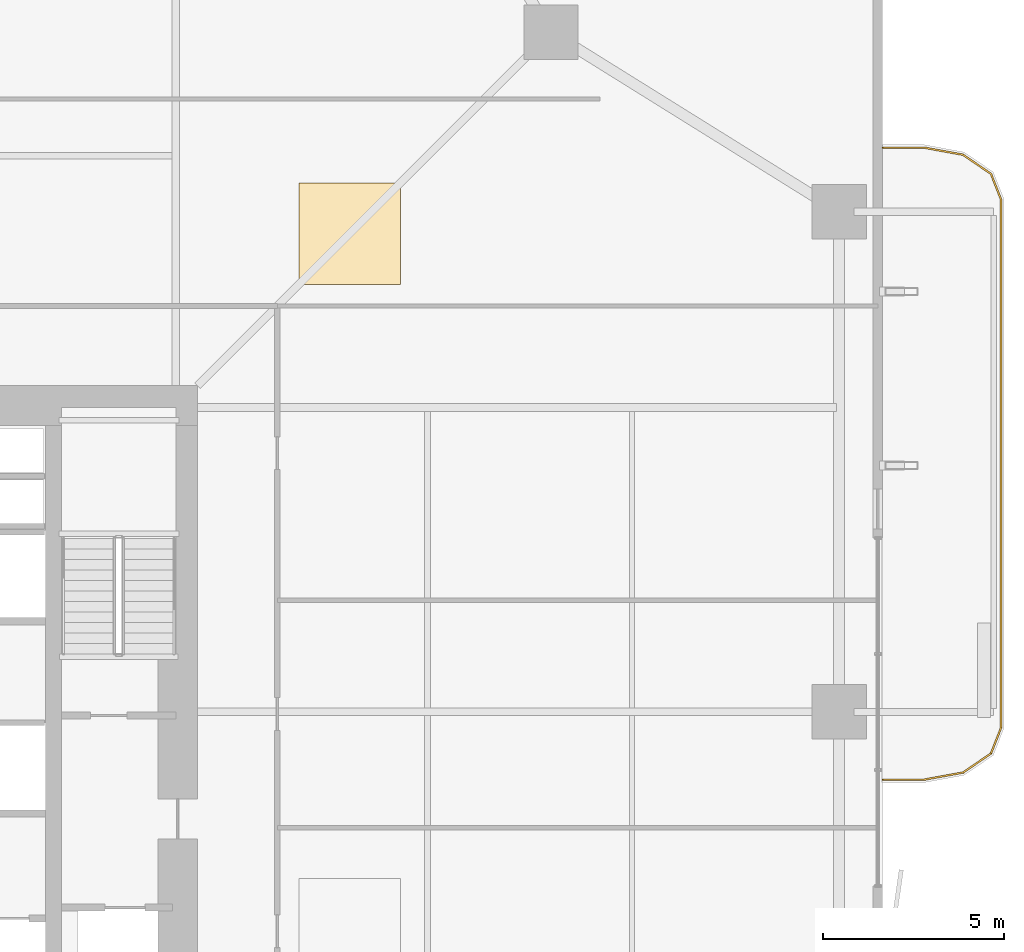
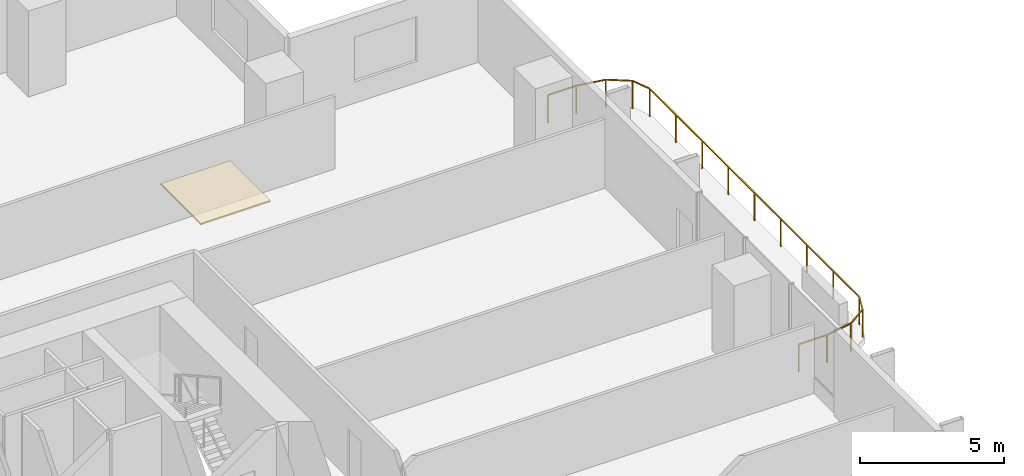
# One storey, part 24 of 24: 1 covering, 1 railing.
"""IFC4 building model written with IfcOpenShell, lengths in metres."""

import ifcopenshell
import ifcopenshell.guid

model = None  # the IFC model being written
_history = None  # IfcOwnerHistory: only IFC2X3 demands one
_inside = {}  # id of a spatial element -> (the spatial element, [elements in it])
_under = {}  # id of a project, library or spatial element -> (it, [spatial elements below it])
_declared = {}  # id of a project -> (the project, [libraries it declares])
_typed = {}  # id of a type object -> (the type object, [elements of that type])
_made_of = {}  # id of a material, layer set ... -> (it, [elements and type objects made of it])


def new_model(schema):
    """Start an empty IFC model of exactly this schema.

    Asked for "IFC4X3", IfcOpenShell would pick the latest addendum, in which some entities
    have other attributes; the version numbers below select the first issue.
    IFC2X3 requires an IfcOwnerHistory on every rooted entity: one is made here for all.
    """
    global model, _history
    if schema == "IFC4X3":
        model = ifcopenshell.file(schema_version=(4, 3, 0, 0))
    else:
        model = ifcopenshell.file(schema=schema)
    _inside.clear()
    _under.clear()
    _declared.clear()
    _typed.clear()
    _made_of.clear()
    _history = None
    if model.schema == "IFC2X3":
        org = make("IfcOrganization", Name="unknown")
        user = make(
            "IfcPersonAndOrganization",
            ThePerson=make("IfcPerson", FamilyName="unknown"),
            TheOrganization=org,
        )
        app = make(
            "IfcApplication",
            ApplicationDeveloper=org,
            Version="unknown",
            ApplicationFullName="unknown",
            ApplicationIdentifier="unknown",
        )
        _history = make(
            "IfcOwnerHistory",
            OwningUser=user,
            OwningApplication=app,
            ChangeAction="ADDED",
            CreationDate=0,
        )
    return model


def make(cls, **values):
    """One entity of the class cls with the attributes given. An attribute that is None is left unset."""
    return model.create_entity(
        cls, **{name: value for name, value in values.items() if value is not None}
    )


def rooted(cls, **values):
    """An entity with a GlobalId (a new one), such as an element, a storey or a relation."""
    return make(cls, GlobalId=ifcopenshell.guid.new(), OwnerHistory=_history, **values)


def si_unit(unit_type, name, prefix=None):
    """IfcSIUnit, for example si_unit("LENGTHUNIT", "METRE", prefix="MILLI")."""
    return make("IfcSIUnit", UnitType=unit_type, Prefix=prefix, Name=name)


def assignment(units):
    """IfcUnitAssignment: the units of a project."""
    return None if units is None else make("IfcUnitAssignment", Units=units)


def point(xyz):
    """IfcCartesianPoint."""
    return None if xyz is None else make("IfcCartesianPoint", Coordinates=xyz)


def direction(xyz):
    """IfcDirection."""
    return None if xyz is None else make("IfcDirection", DirectionRatios=xyz)


def frame(location, z_axis=None, x_axis=None):
    """IfcAxis2Placement3D, a coordinate frame: its origin and axes. An axis left out is left unset."""
    return make(
        "IfcAxis2Placement3D",
        Location=point(location),
        Axis=direction(z_axis),
        RefDirection=direction(x_axis),
    )


def frame_2d(location, x_axis=None):
    """IfcAxis2Placement2D, a coordinate frame in the plane: its origin and x axis."""
    return make(
        "IfcAxis2Placement2D", Location=point(location), RefDirection=direction(x_axis)
    )


def origin():
    """The frame at (0, 0, 0) with its axes left unset."""
    return frame((0.0, 0.0, 0.0))


def origin_2d():
    """The frame at (0, 0) in the plane with its x axis left unset."""
    return frame_2d((0.0, 0.0))


def place(relative_to, where):
    """IfcLocalPlacement: puts the frame where relative to a parent placement (None: the world)."""
    return make(
        "IfcLocalPlacement", PlacementRelTo=relative_to, RelativePlacement=where
    )


def context(
    kind, dimensions, precision=None, world=None, true_north=None, identifier=None
):
    """IfcGeometricRepresentationContext, for example the 3D "Model" context."""
    return make(
        "IfcGeometricRepresentationContext",
        ContextIdentifier=identifier,
        ContextType=kind,
        CoordinateSpaceDimension=dimensions,
        Precision=precision,
        WorldCoordinateSystem=world,
        TrueNorth=true_north,
    )


def subcontext(parent, identifier, kind, view, scale=None):
    """IfcGeometricRepresentationSubContext, for example "Body" below "Model"."""
    return make(
        "IfcGeometricRepresentationSubContext",
        ContextIdentifier=identifier,
        ContextType=kind,
        ParentContext=parent,
        TargetScale=scale,
        TargetView=view,
    )


def project(units=None, contexts=None):
    """IfcProject with its units and contexts."""
    return rooted(
        "IfcProject",
        Name="project",
        RepresentationContexts=contexts,
        UnitsInContext=assignment(units),
    )


def spatial(cls, under=None, at=None, **own):
    """A site, building, storey or space (cls), placed at a placement, below another one or the project."""
    s = rooted(cls, ObjectPlacement=at, **own)
    if under is not None:
        _under.setdefault(under.id(), (under, []))[1].append(s)
    return s


def polyline(points):
    """IfcPolyline through the points."""
    return make("IfcPolyline", Points=[point(p) for p in points])


def profile(cls, at=None, kind="AREA", **sizes):
    """A parametric profile (cls). Its sizes go by their IFC names, for example OverallWidth=200.0."""
    return make(cls, ProfileType=kind, Position=at, **sizes)


def rectangle(**sizes):
    """IfcRectangleProfileDef."""
    return profile("IfcRectangleProfileDef", **sizes)


def outline(outer, holes=None, kind="AREA"):
    """IfcArbitraryClosedProfileDef: a profile drawn as a closed curve; with holes, ...WithVoids."""
    if holes is None:
        return make("IfcArbitraryClosedProfileDef", ProfileType=kind, OuterCurve=outer)
    return make(
        "IfcArbitraryProfileDefWithVoids",
        ProfileType=kind,
        OuterCurve=outer,
        InnerCurves=holes,
    )


def extrude(swept, where, along, depth):
    """IfcExtrudedAreaSolid: the profile swept, set in the frame where, extruded along a direction by depth."""
    return make(
        "IfcExtrudedAreaSolid",
        SweptArea=swept,
        Position=where,
        ExtrudedDirection=direction(along),
        Depth=depth,
    )


def shape(context_of_items, identifier, shape_type, items):
    """IfcShapeRepresentation: the items that make up one representation, for example the "Body"."""
    return make(
        "IfcShapeRepresentation",
        ContextOfItems=context_of_items,
        RepresentationIdentifier=identifier,
        RepresentationType=shape_type,
        Items=items,
    )


def material(Name=None, Category=None):
    """IfcMaterial."""
    return make("IfcMaterial", Name=Name, Category=Category)


def layer(
    of_material, thickness, ventilated=None, Name=None, Category=None, Priority=None
):
    """IfcMaterialLayer: one layer of a wall or slab, of a material (None: an air gap)."""
    return make(
        "IfcMaterialLayer",
        Material=of_material,
        LayerThickness=thickness,
        IsVentilated=ventilated,
        Name=Name,
        Category=Category,
        Priority=Priority,
    )


def layer_set(layers, Name=None):
    """IfcMaterialLayerSet."""
    return make("IfcMaterialLayerSet", MaterialLayers=layers, LayerSetName=Name)


def made_of(thing, what):
    """Note that an element or type object is made of a material, layer set ...; save() writes the relation."""
    if what is not None:
        _made_of.setdefault(what.id(), (what, []))[1].append(thing)
    return thing


def type_object(cls, material=None, **own):
    """A type object (cls), such as IfcWallType, which elements share."""
    return made_of(rooted(cls, **own), material)


def element(
    cls,
    number,
    at=None,
    inside=None,
    cuts=None,
    type_object=None,
    material=None,
    context=None,
    identifier="Body",
    shape_type=None,
    held_by="IfcProductDefinitionShape",
    body=None,
    shapes=None,
    **own,
):
    """One element of the class cls, such as IfcWall. Its Tag is "e" and its number.

    at: its placement. inside: the storey or other place that contains it. cuts: it is an
    opening in that element (IfcRelVoidsElement). A single representation is given by context,
    identifier, shape_type and body (its items); several are given by shapes. held_by: the class
    of the entity that holds the representations. save() writes the other relations.
    """
    e = rooted(cls, Tag="e%d" % number, ObjectPlacement=at, **own)
    if body is not None:
        shapes = [shape(context, identifier, shape_type, body)]
    if shapes is not None:
        e.Representation = make(held_by, Representations=shapes)
    if inside is not None:
        _inside.setdefault(inside.id(), (inside, []))[1].append(e)
    if cuts is not None:
        rooted(
            "IfcRelVoidsElement", RelatingBuildingElement=cuts, RelatedOpeningElement=e
        )
    if type_object is not None:
        _typed.setdefault(type_object.id(), (type_object, []))[1].append(e)
    return made_of(e, material)


def aggregate(whole, parts):
    """IfcRelAggregates: a whole, such as a stair, and the parts it consists of."""
    return rooted("IfcRelAggregates", RelatingObject=whole, RelatedObjects=parts)


def save(model, path):
    """Write the relations noted so far, then the file.

    IfcRelAggregates (storeys below a building ...), IfcRelContainedInSpatialStructure (elements
    in a storey), IfcRelDefinesByType, IfcRelAssociatesMaterial and IfcRelDeclares: one each for
    every whole, place, type object, material and project.
    """
    for whole, parts in _under.values():
        aggregate(whole, parts)
    for where, things in _inside.values():
        rooted(
            "IfcRelContainedInSpatialStructure",
            RelatedElements=things,
            RelatingStructure=where,
        )
    for kind, things in _typed.values():
        rooted("IfcRelDefinesByType", RelatedObjects=things, RelatingType=kind)
    for what, things in _made_of.values():
        rooted("IfcRelAssociatesMaterial", RelatedObjects=things, RelatingMaterial=what)
    for by, libraries in _declared.values():
        rooted("IfcRelDeclares", RelatingContext=by, RelatedDefinitions=libraries)
    model.write(path)


model = new_model("IFC4")

# Units and contexts
model_context = context("Model", 3, precision=1e-05, world=origin(), true_north=direction((0.0, 1.0)))
body_context = subcontext(model_context, "Body", "Model", "MODEL_VIEW")
ifc_project = project(units=[si_unit("LENGTHUNIT", "METRE"), si_unit("AREAUNIT", "SQUARE_METRE"), si_unit("VOLUMEUNIT", "CUBIC_METRE"), si_unit("PLANEANGLEUNIT", "RADIAN"), si_unit("MASSUNIT", "GRAM", prefix="KILO")], contexts=[model_context])

# Site, building, storey
site_placement = place(None, origin())
site = spatial("IfcSite", under=ifc_project, at=site_placement, CompositionType="ELEMENT")
building_placement = place(site_placement, origin())
building = spatial("IfcBuilding", under=site, at=building_placement, Name="Belovzor Exchange Tower", CompositionType="ELEMENT")
storey_placement = place(building_placement, frame((0.0, 0.0, 92.39990234375)))
storey = spatial("IfcBuildingStorey", under=building, at=storey_placement, Name="L22", CompositionType="ELEMENT", Elevation=92.39990234375)

# Railing
ifc_material_1 = material(Name="Stainless Steel and Laminated Safety Glass", Category="steel")
railing_type = type_object("IfcRailingType", Name="Laminated Glass & Stainless Steel Balcony Balustrade 1200", PredefinedType="BALUSTRADE", material=ifc_material_1)
railing_placement = place(storey_placement, frame((56.7099609375, 26.929931640625, 0.0)))
element("IfcRailing", 1, at=railing_placement, inside=storey, type_object=railing_type, Name="GR-1 Balcony Balustrade L22 East", PredefinedType="BALUSTRADE", context=body_context, shape_type="SweptSolid", body=[
    extrude(rectangle(XDim=0.048095703125, YDim=0.048095703125, at=origin_2d()), frame((0.0, 0.0, 1.17578125), z_axis=(1.0, 0.0, 0.0), x_axis=(0.0, 1.0, 0.0)), (0.0, 0.0, 1.0), 1.133056640625),
    extrude(rectangle(XDim=0.048095703125, YDim=0.048095703125, at=origin_2d()), frame((1.133056640625, 0.0, 1.17578125), z_axis=(0.983644145941, 0.180122719713, 0.0), x_axis=(-0.180122719713, 0.983644145941, 0.0)), (0.0, 0.0, 1.0), 1.09375),
    extrude(rectangle(XDim=0.048095703125, YDim=0.048095703125, at=origin_2d()), frame((2.208984375, 0.197021484375, 1.17578125), z_axis=(0.826493025367, 0.56294695933, 0.0), x_axis=(-0.56294695933, 0.826493025367, 0.0)), (0.0, 0.0, 1.0), 0.932861328125),
    extrude(rectangle(XDim=0.048095703125, YDim=0.048095703125, at=origin_2d()), frame((2.97998046875, 0.72216796875, 1.17578125), z_axis=(0.365612923861, 0.930766990125, 0.0), x_axis=(-0.930766990125, 0.365612923861, 0.0)), (0.0, 0.0, 1.0), 0.765869140625),
    extrude(rectangle(XDim=0.048095703125, YDim=0.048095703125, at=origin_2d()), frame((3.260009765625, 1.43505859375, 1.17578125), z_axis=(0.0, 1.0, 0.0), x_axis=(-1.0, 0.0, 0.0)), (0.0, 0.0, 1.0), 14.570068359375),
    extrude(rectangle(XDim=0.048095703125, YDim=0.048095703125, at=origin_2d()), frame((3.260009765625, 16.005126953125, 1.17578125), z_axis=(-0.365612923861, 0.930766990125, 0.0), x_axis=(-0.930766990125, -0.365612923861, 0.0)), (0.0, 0.0, 1.0), 0.765869140625),
    extrude(rectangle(XDim=0.048095703125, YDim=0.048095703125, at=origin_2d()), frame((2.97998046875, 16.718017578125, 1.17578125), z_axis=(-0.826493025367, 0.56294695933, 0.0), x_axis=(-0.56294695933, -0.826493025367, 0.0)), (0.0, 0.0, 1.0), 0.932861328125),
    extrude(rectangle(XDim=0.048095703125, YDim=0.048095703125, at=origin_2d()), frame((2.208984375, 17.2431640625, 1.17578125), z_axis=(-0.983644145941, 0.180122719713, 0.0), x_axis=(-0.180122719713, -0.983644145941, 0.0)), (0.0, 0.0, 1.0), 1.09375),
    extrude(rectangle(XDim=0.048095703125, YDim=0.048095703125, at=origin_2d()), frame((1.133056640625, 17.440185546875, 1.17578125), z_axis=(-1.0, 0.0, 0.0), x_axis=(0.0, -1.0, 0.0)), (0.0, 0.0, 1.0), 1.133056640625),
    extrude(rectangle(XDim=0.0419921875, YDim=0.0419921875, at=origin_2d()), origin(), (0.0, 0.0, 1.0), 1.15185546875),
    extrude(rectangle(XDim=0.0419921875, YDim=0.0419921875, at=origin_2d()), frame((1.133056640625, 0.0, 0.0)), (0.0, 0.0, 1.0), 1.15185546875),
    extrude(rectangle(XDim=0.0419921875, YDim=0.0419921875, at=origin_2d()), frame((2.208984375, 0.197021484375, 0.0)), (0.0, 0.0, 1.0), 1.15185546875),
    extrude(rectangle(XDim=0.0419921875, YDim=0.0419921875, at=origin_2d()), frame((2.97998046875, 0.72216796875, 0.0)), (0.0, 0.0, 1.0), 1.15185546875),
    extrude(rectangle(XDim=0.0419921875, YDim=0.0419921875, at=origin_2d()), frame((3.260009765625, 1.43505859375, 0.0)), (0.0, 0.0, 1.0), 1.15185546875),
    extrude(rectangle(XDim=0.0419921875, YDim=0.0419921875, at=origin_2d()), frame((3.260009765625, 3.25634765625, 0.0)), (0.0, 0.0, 1.0), 1.15185546875),
    extrude(rectangle(XDim=0.0419921875, YDim=0.0419921875, at=origin_2d()), frame((3.260009765625, 5.07763671875, 0.0)), (0.0, 0.0, 1.0), 1.15185546875),
    extrude(rectangle(XDim=0.0419921875, YDim=0.0419921875, at=origin_2d()), frame((3.260009765625, 6.89892578125, 0.0)), (0.0, 0.0, 1.0), 1.15185546875),
    extrude(rectangle(XDim=0.0419921875, YDim=0.0419921875, at=origin_2d()), frame((3.260009765625, 8.72021484375, 0.0)), (0.0, 0.0, 1.0), 1.15185546875),
    extrude(rectangle(XDim=0.0419921875, YDim=0.0419921875, at=origin_2d()), frame((3.260009765625, 10.541259765625, 0.0)), (0.0, 0.0, 1.0), 1.15185546875),
    extrude(rectangle(XDim=0.0419921875, YDim=0.0419921875, at=origin_2d()), frame((3.260009765625, 12.362548828125, 0.0)), (0.0, 0.0, 1.0), 1.15185546875),
    extrude(rectangle(XDim=0.0419921875, YDim=0.0419921875, at=origin_2d()), frame((3.260009765625, 14.183837890625, 0.0)), (0.0, 0.0, 1.0), 1.15185546875),
    extrude(rectangle(XDim=0.0419921875, YDim=0.0419921875, at=origin_2d()), frame((3.260009765625, 16.005126953125, 0.0)), (0.0, 0.0, 1.0), 1.15185546875),
    extrude(rectangle(XDim=0.0419921875, YDim=0.0419921875, at=origin_2d()), frame((2.97998046875, 16.718017578125, 0.0)), (0.0, 0.0, 1.0), 1.15185546875),
    extrude(rectangle(XDim=0.0419921875, YDim=0.0419921875, at=origin_2d()), frame((2.208984375, 17.2431640625, 0.0)), (0.0, 0.0, 1.0), 1.15185546875),
    extrude(rectangle(XDim=0.0419921875, YDim=0.0419921875, at=origin_2d()), frame((1.133056640625, 17.440185546875, 0.0)), (0.0, 0.0, 1.0), 1.15185546875),
    extrude(rectangle(XDim=0.0419921875, YDim=0.0419921875, at=origin_2d()), frame((0.0, 17.440185546875, 0.0)), (0.0, 0.0, 1.0), 1.15185546875),
])

# Covering
ifc_material_2 = material(Name="Perforated Powder-Coated Aluminium", Category="aluminium")
ifc_layer = layer(ifc_material_2, 0.06005859375)
ifc_layer_set = layer_set([ifc_layer], Name="Perforated Powder-Coated Aluminium")
covering_type = type_object("IfcCoveringType", Name="Perforated Acoustic Metal Tile Suspended Ceiling 60", PredefinedType="CEILING", material=ifc_layer_set)
covering_placement = place(storey_placement, frame((0.0, 0.0, 3.590087890625)))
element("IfcCovering", 2, at=covering_placement, inside=storey, type_object=covering_type, Name="CLG-AC60 Suspended Ceiling CLG-L22-Z1", PredefinedType="CEILING", context=body_context, shape_type="SweptSolid", body=[
    extrude(outline(polyline([(40.60009765625, 40.60009765625), (43.39990234375, 40.60009765625), (43.39990234375, 43.39990234375), (40.60009765625, 43.39990234375), (40.60009765625, 40.60009765625)])), origin(), (0.0, 0.0, 1.0), 0.06005859375),
])

save(model, "model.ifc")
